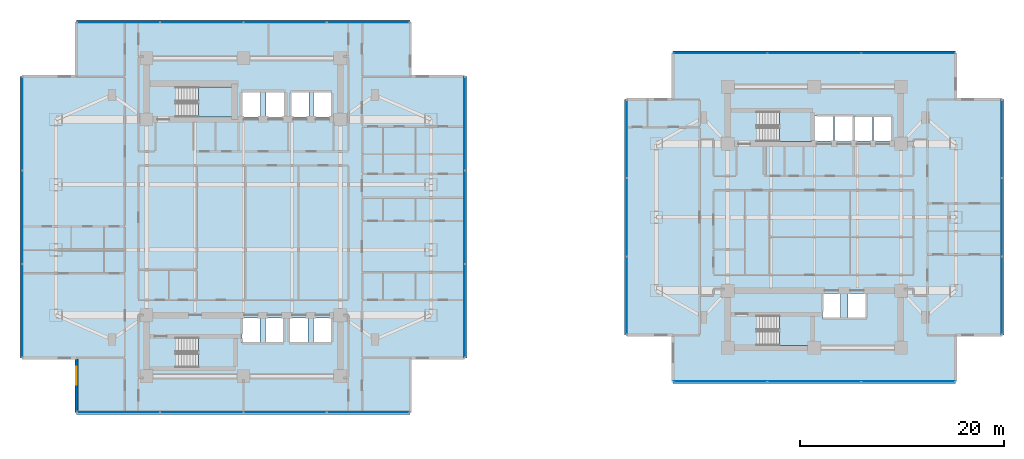
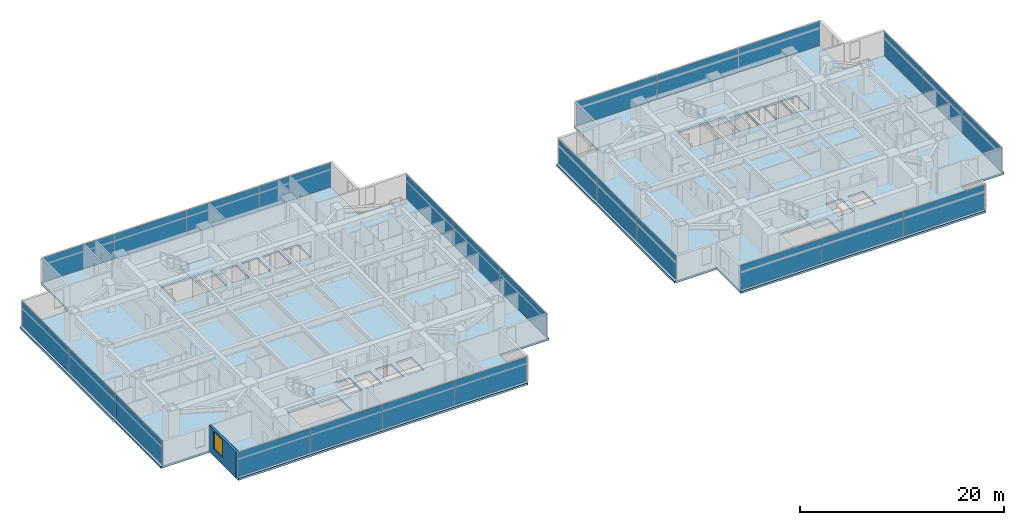
# One storey, part 12 of 24: 26 plates, 6 slabs, 1 wall, 1 window, 1 opening, 12 elements without a shape of their own.
"""IFC4 building model written with IfcOpenShell, lengths in metres."""

import ifcopenshell
import ifcopenshell.guid

model = None  # the IFC model being written
_history = None  # IfcOwnerHistory: only IFC2X3 demands one
_inside = {}  # id of a spatial element -> (the spatial element, [elements in it])
_under = {}  # id of a project, library or spatial element -> (it, [spatial elements below it])
_declared = {}  # id of a project -> (the project, [libraries it declares])
_typed = {}  # id of a type object -> (the type object, [elements of that type])
_made_of = {}  # id of a material, layer set ... -> (it, [elements and type objects made of it])


def new_model(schema):
    """Start an empty IFC model of exactly this schema.

    Asked for "IFC4X3", IfcOpenShell would pick the latest addendum, in which some entities
    have other attributes; the version numbers below select the first issue.
    IFC2X3 requires an IfcOwnerHistory on every rooted entity: one is made here for all.
    """
    global model, _history
    if schema == "IFC4X3":
        model = ifcopenshell.file(schema_version=(4, 3, 0, 0))
    else:
        model = ifcopenshell.file(schema=schema)
    _inside.clear()
    _under.clear()
    _declared.clear()
    _typed.clear()
    _made_of.clear()
    _history = None
    if model.schema == "IFC2X3":
        org = make("IfcOrganization", Name="unknown")
        user = make(
            "IfcPersonAndOrganization",
            ThePerson=make("IfcPerson", FamilyName="unknown"),
            TheOrganization=org,
        )
        app = make(
            "IfcApplication",
            ApplicationDeveloper=org,
            Version="unknown",
            ApplicationFullName="unknown",
            ApplicationIdentifier="unknown",
        )
        _history = make(
            "IfcOwnerHistory",
            OwningUser=user,
            OwningApplication=app,
            ChangeAction="ADDED",
            CreationDate=0,
        )
    return model


def make(cls, **values):
    """One entity of the class cls with the attributes given. An attribute that is None is left unset."""
    return model.create_entity(
        cls, **{name: value for name, value in values.items() if value is not None}
    )


def rooted(cls, **values):
    """An entity with a GlobalId (a new one), such as an element, a storey or a relation."""
    return make(cls, GlobalId=ifcopenshell.guid.new(), OwnerHistory=_history, **values)


def si_unit(unit_type, name, prefix=None):
    """IfcSIUnit, for example si_unit("LENGTHUNIT", "METRE", prefix="MILLI")."""
    return make("IfcSIUnit", UnitType=unit_type, Prefix=prefix, Name=name)


def assignment(units):
    """IfcUnitAssignment: the units of a project."""
    return None if units is None else make("IfcUnitAssignment", Units=units)


def point(xyz):
    """IfcCartesianPoint."""
    return None if xyz is None else make("IfcCartesianPoint", Coordinates=xyz)


def direction(xyz):
    """IfcDirection."""
    return None if xyz is None else make("IfcDirection", DirectionRatios=xyz)


def frame(location, z_axis=None, x_axis=None):
    """IfcAxis2Placement3D, a coordinate frame: its origin and axes. An axis left out is left unset."""
    return make(
        "IfcAxis2Placement3D",
        Location=point(location),
        Axis=direction(z_axis),
        RefDirection=direction(x_axis),
    )


def frame_2d(location, x_axis=None):
    """IfcAxis2Placement2D, a coordinate frame in the plane: its origin and x axis."""
    return make(
        "IfcAxis2Placement2D", Location=point(location), RefDirection=direction(x_axis)
    )


def origin():
    """The frame at (0, 0, 0) with its axes left unset."""
    return frame((0.0, 0.0, 0.0))


def origin_2d():
    """The frame at (0, 0) in the plane with its x axis left unset."""
    return frame_2d((0.0, 0.0))


def place(relative_to, where):
    """IfcLocalPlacement: puts the frame where relative to a parent placement (None: the world)."""
    return make(
        "IfcLocalPlacement", PlacementRelTo=relative_to, RelativePlacement=where
    )


def context(
    kind, dimensions, precision=None, world=None, true_north=None, identifier=None
):
    """IfcGeometricRepresentationContext, for example the 3D "Model" context."""
    return make(
        "IfcGeometricRepresentationContext",
        ContextIdentifier=identifier,
        ContextType=kind,
        CoordinateSpaceDimension=dimensions,
        Precision=precision,
        WorldCoordinateSystem=world,
        TrueNorth=true_north,
    )


def subcontext(parent, identifier, kind, view, scale=None):
    """IfcGeometricRepresentationSubContext, for example "Body" below "Model"."""
    return make(
        "IfcGeometricRepresentationSubContext",
        ContextIdentifier=identifier,
        ContextType=kind,
        ParentContext=parent,
        TargetScale=scale,
        TargetView=view,
    )


def project(units=None, contexts=None):
    """IfcProject with its units and contexts."""
    return rooted(
        "IfcProject",
        Name="project",
        RepresentationContexts=contexts,
        UnitsInContext=assignment(units),
    )


def spatial(cls, under=None, at=None, **own):
    """A site, building, storey or space (cls), placed at a placement, below another one or the project."""
    s = rooted(cls, ObjectPlacement=at, **own)
    if under is not None:
        _under.setdefault(under.id(), (under, []))[1].append(s)
    return s


def polyline(points):
    """IfcPolyline through the points."""
    return make("IfcPolyline", Points=[point(p) for p in points])


def profile(cls, at=None, kind="AREA", **sizes):
    """A parametric profile (cls). Its sizes go by their IFC names, for example OverallWidth=200.0."""
    return make(cls, ProfileType=kind, Position=at, **sizes)


def rectangle(**sizes):
    """IfcRectangleProfileDef."""
    return profile("IfcRectangleProfileDef", **sizes)


def outline(outer, holes=None, kind="AREA"):
    """IfcArbitraryClosedProfileDef: a profile drawn as a closed curve; with holes, ...WithVoids."""
    if holes is None:
        return make("IfcArbitraryClosedProfileDef", ProfileType=kind, OuterCurve=outer)
    return make(
        "IfcArbitraryProfileDefWithVoids",
        ProfileType=kind,
        OuterCurve=outer,
        InnerCurves=holes,
    )


def extrude(swept, where, along, depth):
    """IfcExtrudedAreaSolid: the profile swept, set in the frame where, extruded along a direction by depth."""
    return make(
        "IfcExtrudedAreaSolid",
        SweptArea=swept,
        Position=where,
        ExtrudedDirection=direction(along),
        Depth=depth,
    )


def shape(context_of_items, identifier, shape_type, items):
    """IfcShapeRepresentation: the items that make up one representation, for example the "Body"."""
    return make(
        "IfcShapeRepresentation",
        ContextOfItems=context_of_items,
        RepresentationIdentifier=identifier,
        RepresentationType=shape_type,
        Items=items,
    )


def material(Name=None, Category=None):
    """IfcMaterial."""
    return make("IfcMaterial", Name=Name, Category=Category)


def layer(
    of_material, thickness, ventilated=None, Name=None, Category=None, Priority=None
):
    """IfcMaterialLayer: one layer of a wall or slab, of a material (None: an air gap)."""
    return make(
        "IfcMaterialLayer",
        Material=of_material,
        LayerThickness=thickness,
        IsVentilated=ventilated,
        Name=Name,
        Category=Category,
        Priority=Priority,
    )


def layer_set(layers, Name=None):
    """IfcMaterialLayerSet."""
    return make("IfcMaterialLayerSet", MaterialLayers=layers, LayerSetName=Name)


def made_of(thing, what):
    """Note that an element or type object is made of a material, layer set ...; save() writes the relation."""
    if what is not None:
        _made_of.setdefault(what.id(), (what, []))[1].append(thing)
    return thing


def type_object(cls, material=None, **own):
    """A type object (cls), such as IfcWallType, which elements share."""
    return made_of(rooted(cls, **own), material)


def element(
    cls,
    number,
    at=None,
    inside=None,
    cuts=None,
    type_object=None,
    material=None,
    context=None,
    identifier="Body",
    shape_type=None,
    held_by="IfcProductDefinitionShape",
    body=None,
    shapes=None,
    **own,
):
    """One element of the class cls, such as IfcWall. Its Tag is "e" and its number.

    at: its placement. inside: the storey or other place that contains it. cuts: it is an
    opening in that element (IfcRelVoidsElement). A single representation is given by context,
    identifier, shape_type and body (its items); several are given by shapes. held_by: the class
    of the entity that holds the representations. save() writes the other relations.
    """
    e = rooted(cls, Tag="e%d" % number, ObjectPlacement=at, **own)
    if body is not None:
        shapes = [shape(context, identifier, shape_type, body)]
    if shapes is not None:
        e.Representation = make(held_by, Representations=shapes)
    if inside is not None:
        _inside.setdefault(inside.id(), (inside, []))[1].append(e)
    if cuts is not None:
        rooted(
            "IfcRelVoidsElement", RelatingBuildingElement=cuts, RelatedOpeningElement=e
        )
    if type_object is not None:
        _typed.setdefault(type_object.id(), (type_object, []))[1].append(e)
    return made_of(e, material)


def fill(opening, filler):
    """IfcRelFillsElement: the door or window that sits in an opening."""
    return rooted(
        "IfcRelFillsElement",
        RelatingOpeningElement=opening,
        RelatedBuildingElement=filler,
    )


def aggregate(whole, parts):
    """IfcRelAggregates: a whole, such as a stair, and the parts it consists of."""
    return rooted("IfcRelAggregates", RelatingObject=whole, RelatedObjects=parts)


def save(model, path):
    """Write the relations noted so far, then the file.

    IfcRelAggregates (storeys below a building ...), IfcRelContainedInSpatialStructure (elements
    in a storey), IfcRelDefinesByType, IfcRelAssociatesMaterial and IfcRelDeclares: one each for
    every whole, place, type object, material and project.
    """
    for whole, parts in _under.values():
        aggregate(whole, parts)
    for where, things in _inside.values():
        rooted(
            "IfcRelContainedInSpatialStructure",
            RelatedElements=things,
            RelatingStructure=where,
        )
    for kind, things in _typed.values():
        rooted("IfcRelDefinesByType", RelatedObjects=things, RelatingType=kind)
    for what, things in _made_of.values():
        rooted("IfcRelAssociatesMaterial", RelatedObjects=things, RelatingMaterial=what)
    for by, libraries in _declared.values():
        rooted("IfcRelDeclares", RelatingContext=by, RelatedDefinitions=libraries)
    model.write(path)


model = new_model("IFC4")

# Units and contexts
model_context = context("Model", 3, precision=1e-05, world=origin(), true_north=direction((0.0, 1.0)))
body_context = subcontext(model_context, "Body", "Model", "MODEL_VIEW")
ifc_project = project(units=[si_unit("LENGTHUNIT", "METRE"), si_unit("AREAUNIT", "SQUARE_METRE"), si_unit("VOLUMEUNIT", "CUBIC_METRE"), si_unit("PLANEANGLEUNIT", "RADIAN"), si_unit("MASSUNIT", "GRAM", prefix="KILO")], contexts=[model_context])

# Site, building, storey
site_placement = place(None, origin())
site = spatial("IfcSite", under=ifc_project, at=site_placement, CompositionType="ELEMENT")
building_placement = place(site_placement, origin())
building = spatial("IfcBuilding", under=site, at=building_placement, Name="Mirazonda Arch Towers", CompositionType="ELEMENT")
storey_placement = place(building_placement, frame((0.0, 0.0, 65.300048828125)))
storey = spatial("IfcBuildingStorey", under=building, at=storey_placement, Name="L18", CompositionType="ELEMENT", Elevation=65.300048828125)

# Curtain wall, plates
ifc_material_1 = material(Name="Anodised Aluminium and Low-E Glass", Category="aluminium")
curtain_wall_type = type_object("IfcCurtainWallType", Name="CW-HTL-UNIT", PredefinedType="NOTDEFINED", material=ifc_material_1)
curtain_wall_1_placement = place(storey_placement, origin())
curtain_wall_1 = element("IfcCurtainWall", 1, at=curtain_wall_1_placement, inside=storey, type_object=curtain_wall_type, Name="L18 T1 S Facade CW-L18-T1-S", PredefinedType="NOTDEFINED")
ifc_material_2 = material(Name="Insulated Low-E Solar Glass", Category="glass")
ifc_layer_1 = layer(ifc_material_2, 0.035888671875, Name="PAN-CW-HTL-UNIT")
ifc_layer_set_1 = layer_set([ifc_layer_1], Name="Insulated Low-E Solar Glass")
plate_type = type_object("IfcPlateType", Name="PAN-CW-HTL-UNIT", PredefinedType="CURTAIN_PANEL", material=ifc_layer_set_1)
plate_1_placement = place(storey_placement, frame((32.751220703125, 8.867919921875, 0.0751953125), z_axis=(0.0, 0.0, 1.0), x_axis=(-1.0, 0.0, 0.0)))
plate_1 = element("IfcPlate", 2, at=plate_1_placement, type_object=plate_type, Name="CW-112 panel 1.1", PredefinedType="CURTAIN_PANEL", context=body_context, shape_type="SweptSolid", body=[
    extrude(rectangle(XDim=8.0673828125, YDim=0.035888671875, at=origin_2d()), origin(), (0.0, 0.0, 1.0), 2.889892578125),
])
plate_2_placement = place(storey_placement, frame((24.590087890625, 8.867919921875, 0.0751953125), z_axis=(0.0, 0.0, 1.0), x_axis=(-1.0, 0.0, 0.0)))
plate_2 = element("IfcPlate", 3, at=plate_2_placement, type_object=plate_type, Name="CW-112 panel 2.1", PredefinedType="CURTAIN_PANEL", context=body_context, shape_type="SweptSolid", body=[
    extrude(rectangle(XDim=8.10498046875, YDim=0.035888671875, at=origin_2d()), origin(), (0.0, 0.0, 1.0), 2.889892578125),
])
plate_3_placement = place(storey_placement, frame((16.409912109375, 8.867919921875, 0.0751953125), z_axis=(0.0, 0.0, 1.0), x_axis=(-1.0, 0.0, 0.0)))
plate_3 = element("IfcPlate", 4, at=plate_3_placement, type_object=plate_type, Name="CW-112 panel 3.1", PredefinedType="CURTAIN_PANEL", context=body_context, shape_type="SweptSolid", body=[
    extrude(rectangle(XDim=8.10498046875, YDim=0.035888671875, at=origin_2d()), origin(), (0.0, 0.0, 1.0), 2.889892578125),
])
plate_4_placement = place(storey_placement, frame((8.248779296875, 8.867919921875, 0.0751953125), z_axis=(0.0, 0.0, 1.0), x_axis=(-1.0, 0.0, 0.0)))
plate_4 = element("IfcPlate", 5, at=plate_4_placement, type_object=plate_type, Name="CW-112 panel 4.1", PredefinedType="CURTAIN_PANEL", context=body_context, shape_type="SweptSolid", body=[
    extrude(rectangle(XDim=8.0673828125, YDim=0.035888671875, at=origin_2d()), origin(), (0.0, 0.0, 1.0), 2.889892578125),
])
aggregate(curtain_wall_1, [plate_1, plate_2, plate_3, plate_4])

curtain_wall_2_placement = place(storey_placement, origin())
curtain_wall_2 = element("IfcCurtainWall", 6, at=curtain_wall_2_placement, inside=storey, type_object=curtain_wall_type, Name="L18 T1 E Facade CW-L18-T1-E", PredefinedType="NOTDEFINED")
plate_5_placement = place(storey_placement, frame((42.199951171875, 18.823974609375, 0.0751953125), z_axis=(0.0, 0.0, 1.0), x_axis=(0.0, 1.0, 0.0)))
plate_5 = element("IfcPlate", 7, at=plate_5_placement, type_object=plate_type, Name="CW-112 panel 1.1", PredefinedType="CURTAIN_PANEL", context=body_context, shape_type="SweptSolid", body=[
    extrude(rectangle(XDim=9.082275390625, YDim=0.035888671875, at=origin_2d()), origin(), (0.0, 0.0, 1.0), 2.889892578125),
])
plate_6_placement = place(storey_placement, frame((42.199951171875, 28.0, 0.0751953125), z_axis=(0.0, 0.0, 1.0), x_axis=(0.0, 1.0, 0.0)))
plate_6 = element("IfcPlate", 8, at=plate_6_placement, type_object=plate_type, Name="CW-112 panel 2.1", PredefinedType="CURTAIN_PANEL", context=body_context, shape_type="SweptSolid", body=[
    extrude(rectangle(XDim=9.11962890625, YDim=0.035888671875, at=origin_2d()), origin(), (0.0, 0.0, 1.0), 2.889892578125),
])
plate_7_placement = place(storey_placement, frame((42.199951171875, 37.176025390625, 0.0751953125), z_axis=(0.0, 0.0, 1.0), x_axis=(0.0, 1.0, 0.0)))
plate_7 = element("IfcPlate", 9, at=plate_7_placement, type_object=plate_type, Name="CW-112 panel 3.1", PredefinedType="CURTAIN_PANEL", context=body_context, shape_type="SweptSolid", body=[
    extrude(rectangle(XDim=9.082275390625, YDim=0.035888671875, at=origin_2d()), origin(), (0.0, 0.0, 1.0), 2.889892578125),
])
aggregate(curtain_wall_2, [plate_5, plate_6, plate_7])

curtain_wall_3_placement = place(storey_placement, origin())
curtain_wall_3 = element("IfcCurtainWall", 10, at=curtain_wall_3_placement, inside=storey, type_object=curtain_wall_type, Name="L18 T1 N Facade CW-L18-T1-N", PredefinedType="NOTDEFINED")
plate_8_placement = place(storey_placement, frame((8.248779296875, 47.132080078125, 0.0751953125), z_axis=(0.0, 0.0, 1.0), x_axis=(1.0, 0.0, 0.0)))
plate_8 = element("IfcPlate", 11, at=plate_8_placement, type_object=plate_type, Name="CW-112 panel 1.1", PredefinedType="CURTAIN_PANEL", context=body_context, shape_type="SweptSolid", body=[
    extrude(rectangle(XDim=8.0673828125, YDim=0.035888671875, at=origin_2d()), origin(), (0.0, 0.0, 1.0), 2.889892578125),
])
plate_9_placement = place(storey_placement, frame((16.409912109375, 47.132080078125, 0.0751953125), z_axis=(0.0, 0.0, 1.0), x_axis=(1.0, 0.0, 0.0)))
plate_9 = element("IfcPlate", 12, at=plate_9_placement, type_object=plate_type, Name="CW-112 panel 2.1", PredefinedType="CURTAIN_PANEL", context=body_context, shape_type="SweptSolid", body=[
    extrude(rectangle(XDim=8.10498046875, YDim=0.035888671875, at=origin_2d()), origin(), (0.0, 0.0, 1.0), 2.889892578125),
])
plate_10_placement = place(storey_placement, frame((24.590087890625, 47.132080078125, 0.0751953125), z_axis=(0.0, 0.0, 1.0), x_axis=(1.0, 0.0, 0.0)))
plate_10 = element("IfcPlate", 13, at=plate_10_placement, type_object=plate_type, Name="CW-112 panel 3.1", PredefinedType="CURTAIN_PANEL", context=body_context, shape_type="SweptSolid", body=[
    extrude(rectangle(XDim=8.10498046875, YDim=0.035888671875, at=origin_2d()), origin(), (0.0, 0.0, 1.0), 2.889892578125),
])
plate_11_placement = place(storey_placement, frame((32.751220703125, 47.132080078125, 0.0751953125), z_axis=(0.0, 0.0, 1.0), x_axis=(1.0, 0.0, 0.0)))
plate_11 = element("IfcPlate", 14, at=plate_11_placement, type_object=plate_type, Name="CW-112 panel 4.1", PredefinedType="CURTAIN_PANEL", context=body_context, shape_type="SweptSolid", body=[
    extrude(rectangle(XDim=8.0673828125, YDim=0.035888671875, at=origin_2d()), origin(), (0.0, 0.0, 1.0), 2.889892578125),
])
aggregate(curtain_wall_3, [plate_8, plate_9, plate_10, plate_11])

curtain_wall_4_placement = place(storey_placement, origin())
curtain_wall_4 = element("IfcCurtainWall", 15, at=curtain_wall_4_placement, inside=storey, type_object=curtain_wall_type, Name="L18 T1 W Facade CW-L18-T1-W", PredefinedType="NOTDEFINED")
plate_12_placement = place(storey_placement, frame((-1.199951171875, 37.176025390625, 0.0751953125), z_axis=(0.0, 0.0, 1.0), x_axis=(0.0, -1.0, 0.0)))
plate_12 = element("IfcPlate", 16, at=plate_12_placement, type_object=plate_type, Name="CW-112 panel 1.1", PredefinedType="CURTAIN_PANEL", context=body_context, shape_type="SweptSolid", body=[
    extrude(rectangle(XDim=9.082275390625, YDim=0.035888671875, at=origin_2d()), origin(), (0.0, 0.0, 1.0), 2.889892578125),
])
plate_13_placement = place(storey_placement, frame((-1.199951171875, 28.0, 0.0751953125), z_axis=(0.0, 0.0, 1.0), x_axis=(0.0, -1.0, 0.0)))
plate_13 = element("IfcPlate", 17, at=plate_13_placement, type_object=plate_type, Name="CW-112 panel 2.1", PredefinedType="CURTAIN_PANEL", context=body_context, shape_type="SweptSolid", body=[
    extrude(rectangle(XDim=9.11962890625, YDim=0.035888671875, at=origin_2d()), origin(), (0.0, 0.0, 1.0), 2.889892578125),
])
plate_14_placement = place(storey_placement, frame((-1.199951171875, 18.823974609375, 0.0751953125), z_axis=(0.0, 0.0, 1.0), x_axis=(0.0, -1.0, 0.0)))
plate_14 = element("IfcPlate", 18, at=plate_14_placement, type_object=plate_type, Name="CW-112 panel 3.1", PredefinedType="CURTAIN_PANEL", context=body_context, shape_type="SweptSolid", body=[
    extrude(rectangle(XDim=9.082275390625, YDim=0.035888671875, at=origin_2d()), origin(), (0.0, 0.0, 1.0), 2.889892578125),
])
aggregate(curtain_wall_4, [plate_12, plate_13, plate_14])

curtain_wall_5_placement = place(storey_placement, origin())
curtain_wall_5 = element("IfcCurtainWall", 19, at=curtain_wall_5_placement, inside=storey, type_object=curtain_wall_type, Name="L18 T2 S Facade CW-L18-T2-S", PredefinedType="NOTDEFINED")
plate_15_placement = place(storey_placement, frame((85.7119140625, 11.890869140625, 0.0751953125), z_axis=(0.0, 0.0, 1.0), x_axis=(-1.0, 0.0, 0.0)))
plate_15 = element("IfcPlate", 20, at=plate_15_placement, type_object=plate_type, Name="CW-112 panel 1.1", PredefinedType="CURTAIN_PANEL", context=body_context, shape_type="SweptSolid", body=[
    extrude(rectangle(XDim=9.1181640625, YDim=0.035888671875, at=origin_2d()), origin(), (0.0, 0.0, 1.0), 2.889892578125),
])
plate_16_placement = place(storey_placement, frame((76.5, 11.890869140625, 0.0751953125), z_axis=(0.0, 0.0, 1.0), x_axis=(-1.0, 0.0, 0.0)))
plate_16 = element("IfcPlate", 21, at=plate_16_placement, type_object=plate_type, Name="CW-112 panel 2.1", PredefinedType="CURTAIN_PANEL", context=body_context, shape_type="SweptSolid", body=[
    extrude(rectangle(XDim=9.15576171875, YDim=0.035888671875, at=origin_2d()), origin(), (0.0, 0.0, 1.0), 2.889892578125),
])
plate_17_placement = place(storey_placement, frame((67.2880859375, 11.890869140625, 0.0751953125), z_axis=(0.0, 0.0, 1.0), x_axis=(-1.0, 0.0, 0.0)))
plate_17 = element("IfcPlate", 22, at=plate_17_placement, type_object=plate_type, Name="CW-112 panel 3.1", PredefinedType="CURTAIN_PANEL", context=body_context, shape_type="SweptSolid", body=[
    extrude(rectangle(XDim=9.1181640625, YDim=0.035888671875, at=origin_2d()), origin(), (0.0, 0.0, 1.0), 2.889892578125),
])
aggregate(curtain_wall_5, [plate_15, plate_16, plate_17])

curtain_wall_6_placement = place(storey_placement, origin())
curtain_wall_6 = element("IfcCurtainWall", 23, at=curtain_wall_6_placement, inside=storey, type_object=curtain_wall_type, Name="L18 T2 E Facade CW-L18-T2-E", PredefinedType="NOTDEFINED")
plate_18_placement = place(storey_placement, frame((94.89208984375, 20.31005859375, 0.0751953125), z_axis=(0.0, 0.0, 1.0), x_axis=(0.0, 1.0, 0.0)))
plate_18 = element("IfcPlate", 24, at=plate_18_placement, type_object=plate_type, Name="CW-112 panel 1.1", PredefinedType="CURTAIN_PANEL", context=body_context, shape_type="SweptSolid", body=[
    extrude(rectangle(XDim=7.59619140625, YDim=0.035888671875, at=origin_2d()), origin(), (0.0, 0.0, 1.0), 2.889892578125),
])
plate_19_placement = place(storey_placement, frame((94.89208984375, 28.0, 0.0751953125), z_axis=(0.0, 0.0, 1.0), x_axis=(0.0, 1.0, 0.0)))
plate_19 = element("IfcPlate", 25, at=plate_19_placement, type_object=plate_type, Name="CW-112 panel 2.1", PredefinedType="CURTAIN_PANEL", context=body_context, shape_type="SweptSolid", body=[
    extrude(rectangle(XDim=7.6337890625, YDim=0.035888671875, at=origin_2d()), origin(), (0.0, 0.0, 1.0), 2.889892578125),
])
plate_20_placement = place(storey_placement, frame((94.89208984375, 35.68994140625, 0.0751953125), z_axis=(0.0, 0.0, 1.0), x_axis=(0.0, 1.0, 0.0)))
plate_20 = element("IfcPlate", 26, at=plate_20_placement, type_object=plate_type, Name="CW-112 panel 3.1", PredefinedType="CURTAIN_PANEL", context=body_context, shape_type="SweptSolid", body=[
    extrude(rectangle(XDim=7.59619140625, YDim=0.035888671875, at=origin_2d()), origin(), (0.0, 0.0, 1.0), 2.889892578125),
])
aggregate(curtain_wall_6, [plate_18, plate_19, plate_20])

curtain_wall_7_placement = place(storey_placement, origin())
curtain_wall_7 = element("IfcCurtainWall", 27, at=curtain_wall_7_placement, inside=storey, type_object=curtain_wall_type, Name="L18 T2 N Facade CW-L18-T2-N", PredefinedType="NOTDEFINED")
plate_21_placement = place(storey_placement, frame((67.2880859375, 44.109130859375, 0.0751953125), z_axis=(0.0, 0.0, 1.0), x_axis=(1.0, 0.0, 0.0)))
plate_21 = element("IfcPlate", 28, at=plate_21_placement, type_object=plate_type, Name="CW-112 panel 1.1", PredefinedType="CURTAIN_PANEL", context=body_context, shape_type="SweptSolid", body=[
    extrude(rectangle(XDim=9.1181640625, YDim=0.035888671875, at=origin_2d()), origin(), (0.0, 0.0, 1.0), 2.889892578125),
])
plate_22_placement = place(storey_placement, frame((76.5, 44.109130859375, 0.0751953125), z_axis=(0.0, 0.0, 1.0), x_axis=(1.0, 0.0, 0.0)))
plate_22 = element("IfcPlate", 29, at=plate_22_placement, type_object=plate_type, Name="CW-112 panel 2.1", PredefinedType="CURTAIN_PANEL", context=body_context, shape_type="SweptSolid", body=[
    extrude(rectangle(XDim=9.15576171875, YDim=0.035888671875, at=origin_2d()), origin(), (0.0, 0.0, 1.0), 2.889892578125),
])
plate_23_placement = place(storey_placement, frame((85.7119140625, 44.109130859375, 0.0751953125), z_axis=(0.0, 0.0, 1.0), x_axis=(1.0, 0.0, 0.0)))
plate_23 = element("IfcPlate", 30, at=plate_23_placement, type_object=plate_type, Name="CW-112 panel 3.1", PredefinedType="CURTAIN_PANEL", context=body_context, shape_type="SweptSolid", body=[
    extrude(rectangle(XDim=9.1181640625, YDim=0.035888671875, at=origin_2d()), origin(), (0.0, 0.0, 1.0), 2.889892578125),
])
aggregate(curtain_wall_7, [plate_21, plate_22, plate_23])

curtain_wall_8_placement = place(storey_placement, origin())
curtain_wall_8 = element("IfcCurtainWall", 31, at=curtain_wall_8_placement, inside=storey, type_object=curtain_wall_type, Name="L18 T2 W Facade CW-L18-T2-W", PredefinedType="NOTDEFINED")
plate_24_placement = place(storey_placement, frame((58.10791015625, 35.68994140625, 0.0751953125), z_axis=(0.0, 0.0, 1.0), x_axis=(0.0, -1.0, 0.0)))
plate_24 = element("IfcPlate", 32, at=plate_24_placement, type_object=plate_type, Name="CW-112 panel 1.1", PredefinedType="CURTAIN_PANEL", context=body_context, shape_type="SweptSolid", body=[
    extrude(rectangle(XDim=7.59619140625, YDim=0.035888671875, at=origin_2d()), origin(), (0.0, 0.0, 1.0), 2.889892578125),
])
plate_25_placement = place(storey_placement, frame((58.10791015625, 28.0, 0.0751953125), z_axis=(0.0, 0.0, 1.0), x_axis=(0.0, -1.0, 0.0)))
plate_25 = element("IfcPlate", 33, at=plate_25_placement, type_object=plate_type, Name="CW-112 panel 2.1", PredefinedType="CURTAIN_PANEL", context=body_context, shape_type="SweptSolid", body=[
    extrude(rectangle(XDim=7.6337890625, YDim=0.035888671875, at=origin_2d()), origin(), (0.0, 0.0, 1.0), 2.889892578125),
])
plate_26_placement = place(storey_placement, frame((58.10791015625, 20.31005859375, 0.0751953125), z_axis=(0.0, 0.0, 1.0), x_axis=(0.0, -1.0, 0.0)))
plate_26 = element("IfcPlate", 34, at=plate_26_placement, type_object=plate_type, Name="CW-112 panel 3.1", PredefinedType="CURTAIN_PANEL", context=body_context, shape_type="SweptSolid", body=[
    extrude(rectangle(XDim=7.59619140625, YDim=0.035888671875, at=origin_2d()), origin(), (0.0, 0.0, 1.0), 2.889892578125),
])
aggregate(curtain_wall_8, [plate_24, plate_25, plate_26])

# Stair, slab
ifc_material_3 = material(Name="Concrete C40/50", Category="concrete")
stair_type = type_object("IfcStairType", Name="STAIR-CORE-1400", PredefinedType="HALF_TURN_STAIR", material=ifc_material_3)
stair_1_placement = place(storey_placement, origin())
stair_1 = element("IfcStair", 35, at=stair_1_placement, inside=storey, type_object=stair_type, Name="L18 Protected Exit Stair ST-T1N", PredefinedType="HALF_TURN_STAIR")
ifc_layer_2 = layer(ifc_material_3, 0.18994140625, Name="SLAB-LANDING-190")
ifc_layer_set_2 = layer_set([ifc_layer_2], Name="Concrete C40/50")
slab_type_1 = type_object("IfcSlabType", Name="SLAB-LANDING-190", PredefinedType="LANDING", material=ifc_layer_set_2)
slab_1_placement = place(storey_placement, frame((0.0, 0.0, 1.449951171875)))
slab_1 = element("IfcSlab", 36, at=slab_1_placement, type_object=slab_type_1, Name="ST-T1N landing 1", PredefinedType="LANDING", context=body_context, shape_type="SweptSolid", body=[
    extrude(outline(polyline([(16.090087890625, 37.820068359375), (19.60009765625, 37.820068359375), (19.60009765625, 40.760009765625), (16.090087890625, 40.760009765625), (16.090087890625, 37.820068359375)])), origin(), (0.0, 0.0, 1.0), 0.199951171875),
])
aggregate(stair_1, [slab_1])

stair_2_placement = place(storey_placement, origin())
stair_2 = element("IfcStair", 37, at=stair_2_placement, inside=storey, type_object=stair_type, Name="L18 Protected Exit Stair ST-T1S", PredefinedType="HALF_TURN_STAIR")
slab_2_placement = place(storey_placement, frame((0.0, 0.0, 1.449951171875)))
slab_2 = element("IfcSlab", 38, at=slab_2_placement, type_object=slab_type_1, Name="ST-T1S landing 1", PredefinedType="LANDING", context=body_context, shape_type="SweptSolid", body=[
    extrude(outline(polyline([(16.090087890625, 13.25), (19.60009765625, 13.25), (19.60009765625, 16.18994140625), (16.090087890625, 16.18994140625), (16.090087890625, 13.25)])), origin(), (0.0, 0.0, 1.0), 0.199951171875),
])
aggregate(stair_2, [slab_2])

stair_3_placement = place(storey_placement, origin())
stair_3 = element("IfcStair", 39, at=stair_3_placement, inside=storey, type_object=stair_type, Name="L18 Protected Exit Stair ST-T2N", PredefinedType="HALF_TURN_STAIR")
slab_3_placement = place(storey_placement, frame((0.0, 0.0, 1.449951171875)))
slab_3 = element("IfcSlab", 40, at=slab_3_placement, type_object=slab_type_1, Name="ST-T2N landing 1", PredefinedType="LANDING", context=body_context, shape_type="SweptSolid", body=[
    extrude(outline(polyline([(73.090087890625, 35.419921875), (76.22998046875, 35.419921875), (76.22998046875, 38.360107421875), (73.090087890625, 38.360107421875), (73.090087890625, 35.419921875)])), origin(), (0.0, 0.0, 1.0), 0.199951171875),
])
aggregate(stair_3, [slab_3])

stair_4_placement = place(storey_placement, origin())
stair_4 = element("IfcStair", 41, at=stair_4_placement, inside=storey, type_object=stair_type, Name="L18 Protected Exit Stair ST-T2S", PredefinedType="HALF_TURN_STAIR")
slab_4_placement = place(storey_placement, frame((0.0, 0.0, 1.449951171875)))
slab_4 = element("IfcSlab", 42, at=slab_4_placement, type_object=slab_type_1, Name="ST-T2S landing 1", PredefinedType="LANDING", context=body_context, shape_type="SweptSolid", body=[
    extrude(outline(polyline([(73.090087890625, 15.419921875), (76.22998046875, 15.419921875), (76.22998046875, 18.360107421875), (73.090087890625, 18.360107421875), (73.090087890625, 15.419921875)])), origin(), (0.0, 0.0, 1.0), 0.199951171875),
])
aggregate(stair_4, [slab_4])

# Slabs
ifc_layer_3 = layer(ifc_material_3, 0.239990234375, Name="SLAB-TWR-240")
ifc_layer_set_3 = layer_set([ifc_layer_3], Name="Concrete C40/50")
slab_type_2 = type_object("IfcSlabType", Name="SLAB-TWR-240", PredefinedType="FLOOR", material=ifc_layer_set_3)
slab_5_placement = place(storey_placement, frame((0.0, 0.0, -0.239990234375)))
element("IfcSlab", 43, at=slab_5_placement, inside=storey, type_object=slab_type_2, Name="L18 Tower 1 Floor Slab", PredefinedType="FLOOR", context=body_context, shape_type="SweptSolid", body=[
    extrude(outline(polyline([(4.139892578125, 8.64794921875), (36.860107421875, 8.64794921875), (36.860107421875, 14.2080078125), (42.419921875, 14.2080078125), (42.419921875, 41.7919921875), (36.860107421875, 41.7919921875), (36.860107421875, 47.35205078125), (4.139892578125, 47.35205078125), (4.139892578125, 41.7919921875), (-1.419921875, 41.7919921875), (-1.419921875, 14.2080078125), (4.139892578125, 14.2080078125), (4.139892578125, 8.64794921875)]), holes=[polyline([(29.139892578125, 18.139892578125), (29.139892578125, 15.659912109375), (27.360107421875, 15.659912109375), (27.360107421875, 18.139892578125), (29.139892578125, 18.139892578125)]), polyline([(29.139892578125, 40.340087890625), (29.139892578125, 37.860107421875), (27.360107421875, 37.860107421875), (27.360107421875, 40.340087890625), (29.139892578125, 40.340087890625)]), polyline([(25.159912109375, 40.340087890625), (26.93994140625, 40.340087890625), (26.93994140625, 37.860107421875), (25.159912109375, 37.860107421875), (25.159912109375, 40.340087890625)]), polyline([(26.840087890625, 18.139892578125), (26.840087890625, 15.659912109375), (25.06005859375, 15.659912109375), (25.06005859375, 18.139892578125), (26.840087890625, 18.139892578125)]), polyline([(22.7099609375, 40.389892578125), (24.590087890625, 40.389892578125), (24.590087890625, 37.81005859375), (22.7099609375, 37.81005859375), (22.7099609375, 40.389892578125)]), polyline([(22.659912109375, 18.139892578125), (24.43994140625, 18.139892578125), (24.43994140625, 15.659912109375), (22.659912109375, 15.659912109375), (22.659912109375, 18.139892578125)]), polyline([(20.31005859375, 40.340087890625), (22.18994140625, 40.340087890625), (22.18994140625, 37.860107421875), (20.31005859375, 37.860107421875), (20.31005859375, 40.340087890625)]), polyline([(20.360107421875, 18.139892578125), (22.139892578125, 18.139892578125), (22.139892578125, 15.659912109375), (20.360107421875, 15.659912109375), (20.360107421875, 18.139892578125)]), polyline([(13.925048828125, 40.760009765625), (19.60009765625, 40.760009765625), (19.60009765625, 37.820068359375), (13.925048828125, 37.820068359375), (13.925048828125, 40.760009765625)]), polyline([(13.925048828125, 13.25), (13.925048828125, 16.18994140625), (19.60009765625, 16.18994140625), (19.60009765625, 13.25), (13.925048828125, 13.25)])]), origin(), (0.0, 0.0, 1.0), 0.239990234375),
])
slab_6_placement = place(storey_placement, frame((0.0, 0.0, -0.239990234375)))
element("IfcSlab", 44, at=slab_6_placement, inside=storey, type_object=slab_type_2, Name="L18 Tower 2 Floor Slab", PredefinedType="FLOOR", context=body_context, shape_type="SweptSolid", body=[
    extrude(outline(polyline([(62.654052734375, 11.6708984375), (90.345947265625, 11.6708984375), (90.345947265625, 16.436767578125), (95.112060546875, 16.436767578125), (95.112060546875, 39.563232421875), (90.345947265625, 39.563232421875), (90.345947265625, 44.3291015625), (62.654052734375, 44.3291015625), (62.654052734375, 39.563232421875), (57.887939453125, 39.563232421875), (57.887939453125, 16.436767578125), (62.654052734375, 16.436767578125), (62.654052734375, 11.6708984375)]), holes=[polyline([(82.330078125, 37.93994140625), (84.110107421875, 37.93994140625), (84.110107421875, 35.4599609375), (82.330078125, 35.4599609375), (82.330078125, 37.93994140625)]), polyline([(80.449951171875, 37.93994140625), (82.22998046875, 37.93994140625), (82.22998046875, 35.4599609375), (80.449951171875, 35.4599609375), (80.449951171875, 37.93994140625)]), polyline([(79.81005859375, 20.5400390625), (81.590087890625, 20.5400390625), (81.590087890625, 18.06005859375), (79.81005859375, 18.06005859375), (79.81005859375, 20.5400390625)]), polyline([(78.47998046875, 37.989990234375), (80.360107421875, 37.989990234375), (80.360107421875, 35.409912109375), (78.47998046875, 35.409912109375), (78.47998046875, 37.989990234375)]), polyline([(77.31005859375, 20.5400390625), (79.090087890625, 20.5400390625), (79.090087890625, 18.06005859375), (77.31005859375, 18.06005859375), (77.31005859375, 20.5400390625)]), polyline([(76.510009765625, 37.93994140625), (78.389892578125, 37.93994140625), (78.389892578125, 35.4599609375), (76.510009765625, 35.4599609375), (76.510009765625, 37.93994140625)]), polyline([(70.925048828125, 15.419921875), (70.925048828125, 18.360107421875), (76.22998046875, 18.360107421875), (76.22998046875, 15.419921875), (70.925048828125, 15.419921875)]), polyline([(70.925048828125, 35.419921875), (70.925048828125, 38.360107421875), (76.22998046875, 38.360107421875), (76.22998046875, 35.419921875), (70.925048828125, 35.419921875)])]), origin(), (0.0, 0.0, 1.0), 0.239990234375),
])

# Wall, opening, window
ifc_material_4 = material(Name="Precast Concrete C40/50", Category="concrete")
ifc_layer_4 = layer(ifc_material_4, 0.280029296875, Name="WALL-EXT-WALL-280")
ifc_layer_set_4 = layer_set([ifc_layer_4], Name="Precast Concrete C40/50")
wall_type = type_object("IfcWallType", Name="WALL-EXT-WALL-280", PredefinedType="SOLIDWALL", material=ifc_layer_set_4)
wall_placement = place(storey_placement, frame((4.139892578125, 14.2080078125, 0.0), z_axis=(0.0, 0.0, 1.0), x_axis=(0.0, -1.0, 0.0)))
wall = element("IfcWall", 45, at=wall_placement, inside=storey, type_object=wall_type, Name="L18 T1 Notched SW Corner Wall WL-L18-T1-CSW", PredefinedType="SOLIDWALL", context=body_context, shape_type="SweptSolid", body=[
    extrude(rectangle(XDim=5.340087890625, YDim=0.280029296875, at=frame_2d((2.669921875, 0.0))), origin(), (0.0, 0.0, 1.0), 3.0400390625),
])
opening_placement = place(wall_placement, frame((0.85009765625, 0.0, 0.7900390625)))
opening = element("IfcOpeningElement", 46, at=opening_placement, cuts=wall, Name="Opening WN-116", PredefinedType="OPENING", context=body_context, shape_type="SweptSolid", body=[
    extrude(rectangle(XDim=1.800048828125, YDim=2.10009765625, at=frame_2d((0.89990234375, 1.050048828125))), frame((0.0, 0.14990234375, 0.0), z_axis=(0.0, -1.0, 0.0), x_axis=(1.0, 0.0, 0.0)), (0.0, 0.0, 1.0), 0.300048828125),
])
window_type = type_object("IfcWindowType", Name="WIN-HTL-1800x2100", PartitioningType="SINGLE_PANEL", PredefinedType="WINDOW", material=ifc_material_2)
window_placement = place(opening_placement, origin())
window = element("IfcWindow", 47, at=window_placement, inside=storey, type_object=window_type, Name="L18 Punched Facade Window WN-L18-T1-CSW", OverallHeight=2.10009765625, OverallWidth=1.800048828125, PartitioningType="SINGLE_PANEL", PredefinedType="WINDOW", context=body_context, shape_type="SweptSolid", body=[
    extrude(rectangle(XDim=1.800048828125, YDim=2.10009765625, at=frame_2d((0.89990234375, 1.050048828125))), frame((0.0, 0.030029296875, 0.0), z_axis=(0.0, -1.0, 0.0), x_axis=(1.0, 0.0, 0.0)), (0.0, 0.0, 1.0), 0.06005859375),
])
fill(opening, window)

save(model, "model.ifc")
